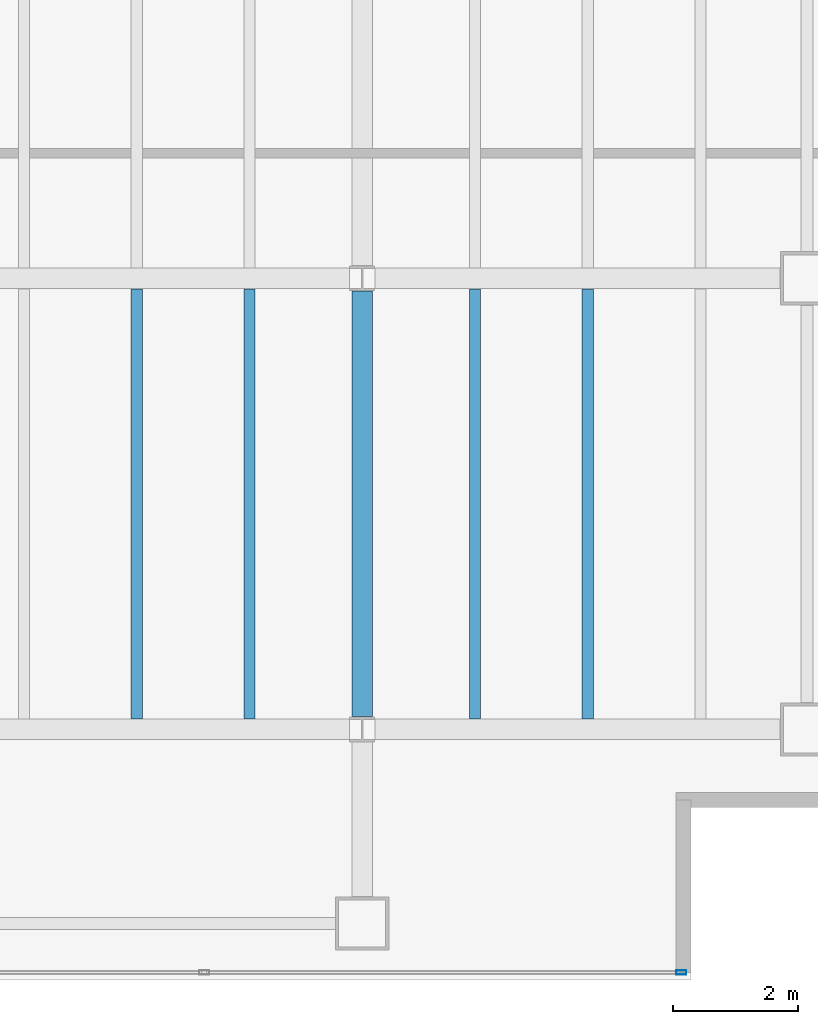
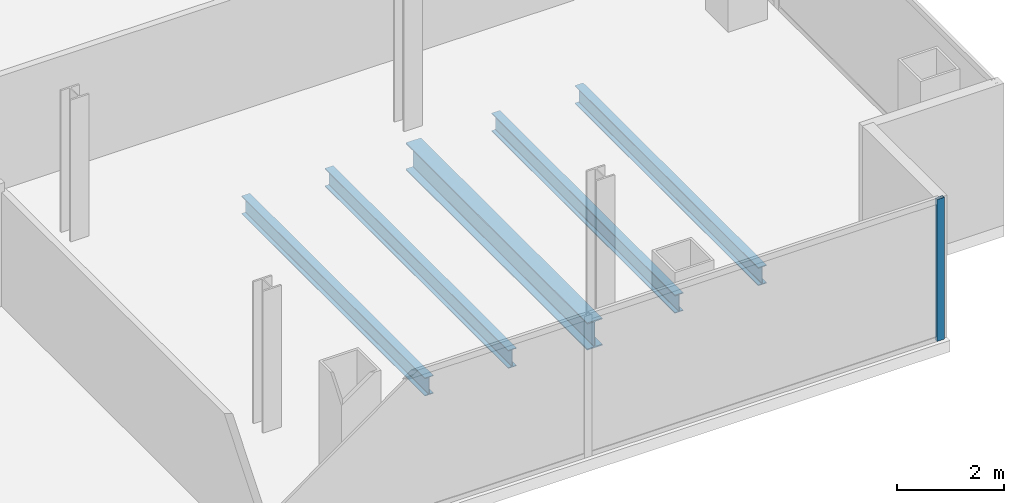
# One storey, part 11 of 23: 5 beams, 1 member, 1 element without a shape of its own.
"""IFC4 building model written with IfcOpenShell, lengths in metres."""

from ifc_helpers import new_model, si_unit, direction, frame, origin, origin_2d, place, context, subcontext, project, spatial, hollow_rectangle, i_section, extrude, material, material_profile, profile_set, type_object, element, aggregate, save


model = new_model("IFC4")

# Units and contexts
model_context = context("Model", 3, precision=1e-05, world=origin(), true_north=direction((0.0, 1.0)))
body_context = subcontext(model_context, "Body", "Model", "MODEL_VIEW")
ifc_project = project(units=[si_unit("LENGTHUNIT", "METRE"), si_unit("AREAUNIT", "SQUARE_METRE"), si_unit("VOLUMEUNIT", "CUBIC_METRE"), si_unit("PLANEANGLEUNIT", "RADIAN"), si_unit("MASSUNIT", "GRAM", prefix="KILO")], contexts=[model_context])

# Site, building, storey
site_placement = place(None, origin())
site = spatial("IfcSite", under=ifc_project, at=site_placement, CompositionType="ELEMENT")
building_placement = place(site_placement, origin())
building = spatial("IfcBuilding", under=site, at=building_placement, Name="Cobrela Telecom Tower", CompositionType="ELEMENT")
storey_placement = place(building_placement, frame((0.0, 0.0, 180.25)))
storey = spatial("IfcBuildingStorey", under=building, at=storey_placement, Name="L45", CompositionType="ELEMENT", Elevation=180.25)

# Beams
ifc_material_1 = material(Name="Steel ASTM A992 Grade 50", Category="steel")
ifc_material_profile_1 = material_profile(ifc_material_1, i_section(OverallWidth=0.327880859375, OverallDepth=0.6220703125, WebThickness=0.015380859375, FlangeThickness=0.0244140625, FilletRadius=0.014892578125, at=origin_2d()), Name="W24X131")
ifc_profile_set_1 = profile_set([ifc_material_profile_1], Name="Steel ASTM A992 Grade 50")
beam_type_1 = type_object("IfcBeamType", Name="BM-GIRD-06", PredefinedType="USERDEFINED", material=ifc_profile_set_1)
beam_placement = place(storey_placement, frame((36.0, 7.404541015625, -0.571044921875), z_axis=(0.0, 1.0, 0.0), x_axis=(-1.0, 0.0, 0.0)))
element("IfcBeam", 1, at=beam_placement, inside=storey, type_object=beam_type_1, Name="L45 Primary Girder Y40", ObjectType="GIRDER", PredefinedType="USERDEFINED", context=body_context, shape_type="SweptSolid", body=[
    extrude(i_section(OverallWidth=0.327880859375, OverallDepth=0.6220703125, WebThickness=0.015380859375, FlangeThickness=0.0244140625, FilletRadius=0.014892578125, at=origin_2d()), origin(), (0.0, 0.0, 1.0), 6.791015625),
])
ifc_material_profile_2 = material_profile(ifc_material_1, i_section(OverallWidth=0.179931640625, OverallDepth=0.4169921875, WebThickness=0.010986328125, FlangeThickness=0.01806640625, FilletRadius=0.011962890625, at=origin_2d()), Name="W16X57")
ifc_profile_set_2 = profile_set([ifc_material_profile_2], Name="Steel ASTM A992 Grade 50")
beam_type_2 = type_object("IfcBeamType", Name="BM-JOIST-04", PredefinedType="JOIST", material=ifc_profile_set_2)
for number, where, z_axis, x_axis, name in (
    (2, (32.39990234375, 7.368896484375, -0.468505859375), (0.0, 1.0, 0.0), (-1.0, 0.0, 0.0), "L45 Secondary Composite Floor Beam J21"),
    (3, (34.199951171875, 7.368896484375, -0.468505859375), (0.0, 1.0, 0.0), (-1.0, 0.0, 0.0), "L45 Secondary Composite Floor Beam J23"),
    (4, (37.800048828125, 7.368896484375, -0.468505859375), (0.0, 1.0, 0.0), (-1.0, 0.0, 0.0), "L45 Secondary Composite Floor Beam J25"),
    (5, (39.60009765625, 7.368896484375, -0.468505859375), (0.0, 1.0, 0.0), (-1.0, 0.0, 0.0), "L45 Secondary Composite Floor Beam J27"),
):
    element("IfcBeam", number, at=place(storey_placement, frame(where, z_axis=z_axis, x_axis=x_axis)), inside=storey, type_object=beam_type_2, Name=name, PredefinedType="JOIST", context=body_context, shape_type="SweptSolid", body=[
        extrude(i_section(OverallWidth=0.179931640625, OverallDepth=0.4169921875, WebThickness=0.010986328125, FlangeThickness=0.01806640625, FilletRadius=0.011962890625, at=origin_2d()), origin(), (0.0, 0.0, 1.0), 6.862060546875),
    ])

# Curtain wall, member
ifc_material_2 = material(Name="Anodized Bronze Aluminium 6063-T6", Category="aluminium")
curtain_wall_type = type_object("IfcCurtainWallType", Name="CW-SYS-OFF-LO", PredefinedType="USERDEFINED", material=ifc_material_2)
curtain_wall_placement = place(storey_placement, origin())
curtain_wall = element("IfcCurtainWall", 6, at=curtain_wall_placement, inside=storey, type_object=curtain_wall_type, Name="L45 Unitised Bronze Curtain Wall 17", ObjectType="UNITISED CURTAIN WALL", PredefinedType="USERDEFINED")
ifc_material_profile_3 = material_profile(ifc_material_2, hollow_rectangle(XDim=0.070068359375, YDim=0.159912109375, WallThickness=0.00390625, at=origin_2d()), Name="ALU 70x160x4")
ifc_profile_set_3 = profile_set([ifc_material_profile_3], Name="Anodized Bronze Aluminium 6063-T6")
member_type = type_object("IfcMemberType", Name="CW-SYS-OFF-LO-MUL", PredefinedType="MULLION", material=ifc_profile_set_3)
member_placement = place(storey_placement, frame((41.094970703125, 3.320068359375, 0.0), z_axis=(0.0, 0.0, 1.0), x_axis=(0.0, -1.0, 0.0)))
member = element("IfcMember", 7, at=member_placement, type_object=member_type, Name="CW-OFF-LO mullion 1", PredefinedType="MULLION", context=body_context, shape_type="SweptSolid", body=[
    extrude(hollow_rectangle(XDim=0.070068359375, YDim=0.159912109375, WallThickness=0.00390625, at=origin_2d()), origin(), (0.0, 0.0, 1.0), 3.239990234375),
])
aggregate(curtain_wall, [member])

save(model, "model.ifc")
